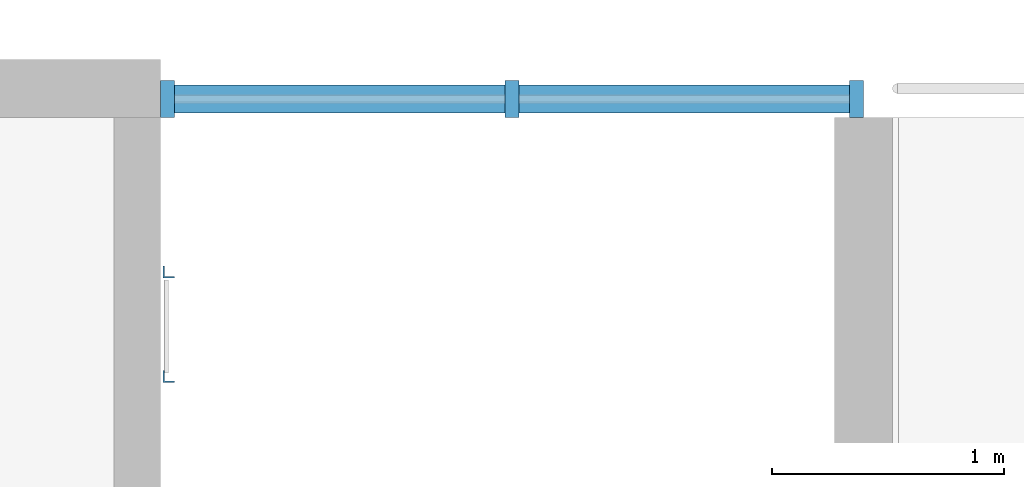
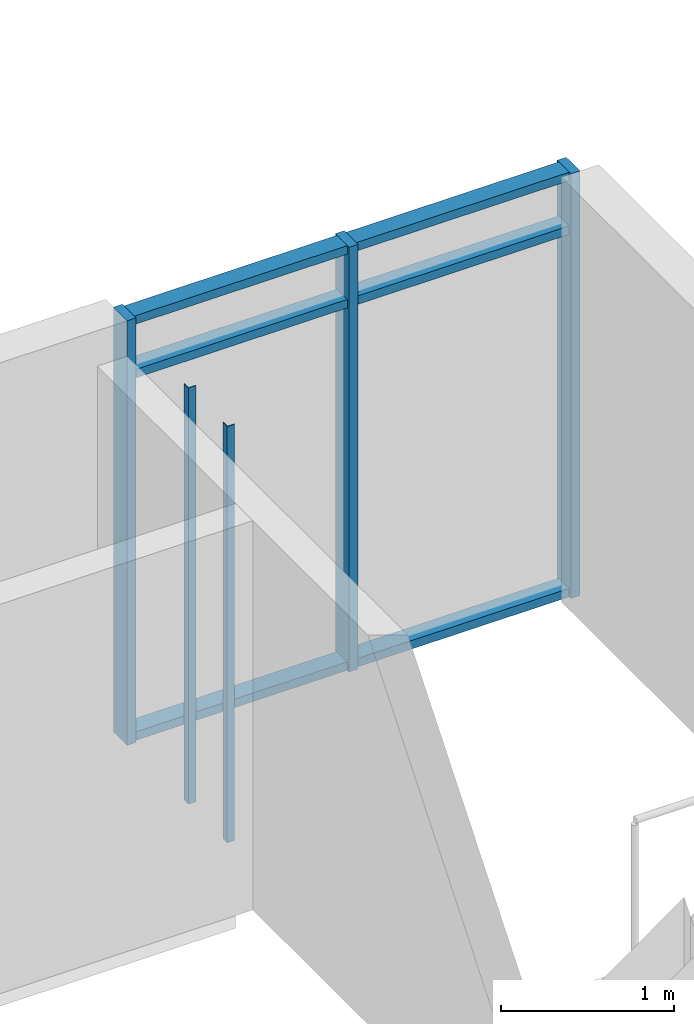
# One storey, part 15 of 94: 11 members, 1 element without a shape of its own.
"""IFC4 building model written with IfcOpenShell, lengths in metres."""

import ifcopenshell
import ifcopenshell.guid

model = None  # the IFC model being written
_history = None  # IfcOwnerHistory: only IFC2X3 demands one
_inside = {}  # id of a spatial element -> (the spatial element, [elements in it])
_under = {}  # id of a project, library or spatial element -> (it, [spatial elements below it])
_declared = {}  # id of a project -> (the project, [libraries it declares])
_typed = {}  # id of a type object -> (the type object, [elements of that type])
_made_of = {}  # id of a material, layer set ... -> (it, [elements and type objects made of it])


def new_model(schema):
    """Start an empty IFC model of exactly this schema.

    Asked for "IFC4X3", IfcOpenShell would pick the latest addendum, in which some entities
    have other attributes; the version numbers below select the first issue.
    IFC2X3 requires an IfcOwnerHistory on every rooted entity: one is made here for all.
    """
    global model, _history
    if schema == "IFC4X3":
        model = ifcopenshell.file(schema_version=(4, 3, 0, 0))
    else:
        model = ifcopenshell.file(schema=schema)
    _inside.clear()
    _under.clear()
    _declared.clear()
    _typed.clear()
    _made_of.clear()
    _history = None
    if model.schema == "IFC2X3":
        org = make("IfcOrganization", Name="unknown")
        user = make(
            "IfcPersonAndOrganization",
            ThePerson=make("IfcPerson", FamilyName="unknown"),
            TheOrganization=org,
        )
        app = make(
            "IfcApplication",
            ApplicationDeveloper=org,
            Version="unknown",
            ApplicationFullName="unknown",
            ApplicationIdentifier="unknown",
        )
        _history = make(
            "IfcOwnerHistory",
            OwningUser=user,
            OwningApplication=app,
            ChangeAction="ADDED",
            CreationDate=0,
        )
    return model


def make(cls, **values):
    """One entity of the class cls with the attributes given. An attribute that is None is left unset."""
    return model.create_entity(
        cls, **{name: value for name, value in values.items() if value is not None}
    )


def rooted(cls, **values):
    """An entity with a GlobalId (a new one), such as an element, a storey or a relation."""
    return make(cls, GlobalId=ifcopenshell.guid.new(), OwnerHistory=_history, **values)


def si_unit(unit_type, name, prefix=None):
    """IfcSIUnit, for example si_unit("LENGTHUNIT", "METRE", prefix="MILLI")."""
    return make("IfcSIUnit", UnitType=unit_type, Prefix=prefix, Name=name)


def assignment(units):
    """IfcUnitAssignment: the units of a project."""
    return None if units is None else make("IfcUnitAssignment", Units=units)


def point(xyz):
    """IfcCartesianPoint."""
    return None if xyz is None else make("IfcCartesianPoint", Coordinates=xyz)


def direction(xyz):
    """IfcDirection."""
    return None if xyz is None else make("IfcDirection", DirectionRatios=xyz)


def frame(location, z_axis=None, x_axis=None):
    """IfcAxis2Placement3D, a coordinate frame: its origin and axes. An axis left out is left unset."""
    return make(
        "IfcAxis2Placement3D",
        Location=point(location),
        Axis=direction(z_axis),
        RefDirection=direction(x_axis),
    )


def frame_2d(location, x_axis=None):
    """IfcAxis2Placement2D, a coordinate frame in the plane: its origin and x axis."""
    return make(
        "IfcAxis2Placement2D", Location=point(location), RefDirection=direction(x_axis)
    )


def origin():
    """The frame at (0, 0, 0) with its axes left unset."""
    return frame((0.0, 0.0, 0.0))


def origin_2d():
    """The frame at (0, 0) in the plane with its x axis left unset."""
    return frame_2d((0.0, 0.0))


def place(relative_to, where):
    """IfcLocalPlacement: puts the frame where relative to a parent placement (None: the world)."""
    return make(
        "IfcLocalPlacement", PlacementRelTo=relative_to, RelativePlacement=where
    )


def context(
    kind, dimensions, precision=None, world=None, true_north=None, identifier=None
):
    """IfcGeometricRepresentationContext, for example the 3D "Model" context."""
    return make(
        "IfcGeometricRepresentationContext",
        ContextIdentifier=identifier,
        ContextType=kind,
        CoordinateSpaceDimension=dimensions,
        Precision=precision,
        WorldCoordinateSystem=world,
        TrueNorth=true_north,
    )


def subcontext(parent, identifier, kind, view, scale=None):
    """IfcGeometricRepresentationSubContext, for example "Body" below "Model"."""
    return make(
        "IfcGeometricRepresentationSubContext",
        ContextIdentifier=identifier,
        ContextType=kind,
        ParentContext=parent,
        TargetScale=scale,
        TargetView=view,
    )


def project(units=None, contexts=None):
    """IfcProject with its units and contexts."""
    return rooted(
        "IfcProject",
        Name="project",
        RepresentationContexts=contexts,
        UnitsInContext=assignment(units),
    )


def spatial(cls, under=None, at=None, **own):
    """A site, building, storey or space (cls), placed at a placement, below another one or the project."""
    s = rooted(cls, ObjectPlacement=at, **own)
    if under is not None:
        _under.setdefault(under.id(), (under, []))[1].append(s)
    return s


def polyline(points):
    """IfcPolyline through the points."""
    return make("IfcPolyline", Points=[point(p) for p in points])


def profile(cls, at=None, kind="AREA", **sizes):
    """A parametric profile (cls). Its sizes go by their IFC names, for example OverallWidth=200.0."""
    return make(cls, ProfileType=kind, Position=at, **sizes)


def rectangle(**sizes):
    """IfcRectangleProfileDef."""
    return profile("IfcRectangleProfileDef", **sizes)


def outline(outer, holes=None, kind="AREA"):
    """IfcArbitraryClosedProfileDef: a profile drawn as a closed curve; with holes, ...WithVoids."""
    if holes is None:
        return make("IfcArbitraryClosedProfileDef", ProfileType=kind, OuterCurve=outer)
    return make(
        "IfcArbitraryProfileDefWithVoids",
        ProfileType=kind,
        OuterCurve=outer,
        InnerCurves=holes,
    )


def extrude(swept, where, along, depth):
    """IfcExtrudedAreaSolid: the profile swept, set in the frame where, extruded along a direction by depth."""
    return make(
        "IfcExtrudedAreaSolid",
        SweptArea=swept,
        Position=where,
        ExtrudedDirection=direction(along),
        Depth=depth,
    )


def shape(context_of_items, identifier, shape_type, items):
    """IfcShapeRepresentation: the items that make up one representation, for example the "Body"."""
    return make(
        "IfcShapeRepresentation",
        ContextOfItems=context_of_items,
        RepresentationIdentifier=identifier,
        RepresentationType=shape_type,
        Items=items,
    )


def material(Name=None, Category=None):
    """IfcMaterial."""
    return make("IfcMaterial", Name=Name, Category=Category)


def material_profile(
    of_material, cross_section, Name=None, Category=None, Priority=None
):
    """IfcMaterialProfile: a cross section and its material."""
    return make(
        "IfcMaterialProfile",
        Name=Name,
        Material=of_material,
        Profile=cross_section,
        Priority=Priority,
        Category=Category,
    )


def profile_set(profiles, Name=None, composite=None):
    """IfcMaterialProfileSet."""
    return make(
        "IfcMaterialProfileSet",
        Name=Name,
        MaterialProfiles=profiles,
        CompositeProfile=composite,
    )


def made_of(thing, what):
    """Note that an element or type object is made of a material, layer set ...; save() writes the relation."""
    if what is not None:
        _made_of.setdefault(what.id(), (what, []))[1].append(thing)
    return thing


def type_object(cls, material=None, **own):
    """A type object (cls), such as IfcWallType, which elements share."""
    return made_of(rooted(cls, **own), material)


def element(
    cls,
    number,
    at=None,
    inside=None,
    cuts=None,
    type_object=None,
    material=None,
    context=None,
    identifier="Body",
    shape_type=None,
    held_by="IfcProductDefinitionShape",
    body=None,
    shapes=None,
    **own,
):
    """One element of the class cls, such as IfcWall. Its Tag is "e" and its number.

    at: its placement. inside: the storey or other place that contains it. cuts: it is an
    opening in that element (IfcRelVoidsElement). A single representation is given by context,
    identifier, shape_type and body (its items); several are given by shapes. held_by: the class
    of the entity that holds the representations. save() writes the other relations.
    """
    e = rooted(cls, Tag="e%d" % number, ObjectPlacement=at, **own)
    if body is not None:
        shapes = [shape(context, identifier, shape_type, body)]
    if shapes is not None:
        e.Representation = make(held_by, Representations=shapes)
    if inside is not None:
        _inside.setdefault(inside.id(), (inside, []))[1].append(e)
    if cuts is not None:
        rooted(
            "IfcRelVoidsElement", RelatingBuildingElement=cuts, RelatedOpeningElement=e
        )
    if type_object is not None:
        _typed.setdefault(type_object.id(), (type_object, []))[1].append(e)
    return made_of(e, material)


def aggregate(whole, parts):
    """IfcRelAggregates: a whole, such as a stair, and the parts it consists of."""
    return rooted("IfcRelAggregates", RelatingObject=whole, RelatedObjects=parts)


def save(model, path):
    """Write the relations noted so far, then the file.

    IfcRelAggregates (storeys below a building ...), IfcRelContainedInSpatialStructure (elements
    in a storey), IfcRelDefinesByType, IfcRelAssociatesMaterial and IfcRelDeclares: one each for
    every whole, place, type object, material and project.
    """
    for whole, parts in _under.values():
        aggregate(whole, parts)
    for where, things in _inside.values():
        rooted(
            "IfcRelContainedInSpatialStructure",
            RelatedElements=things,
            RelatingStructure=where,
        )
    for kind, things in _typed.values():
        rooted("IfcRelDefinesByType", RelatedObjects=things, RelatingType=kind)
    for what, things in _made_of.values():
        rooted("IfcRelAssociatesMaterial", RelatedObjects=things, RelatingMaterial=what)
    for by, libraries in _declared.values():
        rooted("IfcRelDeclares", RelatingContext=by, RelatedDefinitions=libraries)
    model.write(path)


model = new_model("IFC4")

# Units and contexts
model_context = context("Model", 3, precision=1e-05, world=origin(), true_north=direction((0.0, 1.0)))
body_context = subcontext(model_context, "Body", "Model", "MODEL_VIEW")
ifc_project = project(units=[si_unit("LENGTHUNIT", "METRE"), si_unit("AREAUNIT", "SQUARE_METRE"), si_unit("VOLUMEUNIT", "CUBIC_METRE"), si_unit("PLANEANGLEUNIT", "RADIAN"), si_unit("MASSUNIT", "GRAM", prefix="KILO")], contexts=[model_context])

# Site, building, storey
site_placement = place(None, origin())
site = spatial("IfcSite", under=ifc_project, at=site_placement, CompositionType="ELEMENT")
building_placement = place(site_placement, origin())
building = spatial("IfcBuilding", under=site, at=building_placement, Name="Ridgestep Commons", CompositionType="ELEMENT")
storey_placement = place(building_placement, frame((0.0, 0.0, 24.0)))
storey = spatial("IfcBuildingStorey", under=building, at=storey_placement, Name="L08", CompositionType="ELEMENT", Elevation=24.0)

# Members
ifc_material_1 = material(Name="Structural steel S355JR", Category="steel")
ifc_material_profile_1 = material_profile(ifc_material_1, outline(polyline([(-0.014404296875, -0.014404296875), (0.03564453125, -0.014404296875), (0.03564453125, -0.00927734375), (-0.00927734375, -0.00927734375), (-0.00927734375, 0.03564453125), (-0.014404296875, 0.03564453125), (-0.014404296875, -0.014404296875)])), Name="EA 50x50x5")
ifc_profile_set_1 = profile_set([ifc_material_profile_1], Name="Structural steel S355JR")
member_type_1 = type_object("IfcMemberType", Name="Core ladder stile EA 50x50x5", PredefinedType="STRINGER", material=ifc_profile_set_1)
for number, where, z_axis, x_axis, name in (
    (1, (99.0, 75.875, 0.0), (0.0, 0.0, 1.0), (1.0, 0.0, 0.0), "Ladder stile B6C.1"),
    (2, (99.0, 76.324951171875, 0.0), (0.0, 0.0, 1.0), (1.0, 0.0, 0.0), "Ladder stile B6C.2"),
):
    element("IfcMember", number, at=place(storey_placement, frame(where, z_axis=z_axis, x_axis=x_axis)), inside=storey, type_object=member_type_1, Name=name, PredefinedType="STRINGER", context=body_context, shape_type="SweptSolid", body=[
        extrude(outline(polyline([(-0.014404296875, -0.014404296875), (0.03564453125, -0.014404296875), (0.03564453125, -0.00927734375), (-0.00927734375, -0.00927734375), (-0.00927734375, 0.03564453125), (-0.014404296875, 0.03564453125), (-0.014404296875, -0.014404296875)])), origin(), (0.0, 0.0, 1.0), 2.93994140625),
    ])

# Curtain wall, members
ifc_material_2 = material(Name="Aluminium 6063-T6 and glass", Category="aluminium")
curtain_wall_type = type_object("IfcCurtainWallType", Name="Curtain wall stair strip", PredefinedType="NOTDEFINED", material=ifc_material_2)
curtain_wall_placement = place(storey_placement, origin())
curtain_wall = element("IfcCurtainWall", 3, at=curtain_wall_placement, inside=storey, type_object=curtain_wall_type, Name="Curtain wall B6C level 08", PredefinedType="NOTDEFINED")
ifc_material_3 = material(Name="Aluminium 6063-T6", Category="aluminium")
ifc_material_profile_2 = material_profile(ifc_material_3, rectangle(XDim=0.159912109375, YDim=0.06005859375, at=origin_2d()), Name="Mullion 60 x 160")
ifc_profile_set_2 = profile_set([ifc_material_profile_2], Name="Aluminium 6063-T6")
member_type_2 = type_object("IfcMemberType", Name="Mullion 60 x 160", PredefinedType="MULLION", material=ifc_profile_set_2)
member_1_placement = place(storey_placement, frame((99.0048828125, 77.080078125, 0.0), z_axis=(0.0, 0.0, 1.0), x_axis=(0.0, 1.0, 0.0)))
member_1 = element("IfcMember", 4, at=member_1_placement, type_object=member_type_2, Name="CW1 mullion 1", PredefinedType="MULLION", context=body_context, shape_type="SweptSolid", body=[
    extrude(rectangle(XDim=0.159912109375, YDim=0.06005859375, at=origin_2d()), origin(), (0.0, 0.0, 1.0), 3.0),
])
member_2_placement = place(storey_placement, frame((100.487548828125, 77.080078125, 0.0), z_axis=(0.0, 0.0, 1.0), x_axis=(0.0, 1.0, 0.0)))
member_2 = element("IfcMember", 5, at=member_2_placement, type_object=member_type_2, Name="CW1 mullion 2", PredefinedType="MULLION", context=body_context, shape_type="SweptSolid", body=[
    extrude(rectangle(XDim=0.159912109375, YDim=0.06005859375, at=origin_2d()), origin(), (0.0, 0.0, 1.0), 3.0),
])
member_3_placement = place(storey_placement, frame((101.969970703125, 77.080078125, 0.0), z_axis=(0.0, 0.0, 1.0), x_axis=(0.0, 1.0, 0.0)))
member_3 = element("IfcMember", 6, at=member_3_placement, type_object=member_type_2, Name="CW1 mullion 3", PredefinedType="MULLION", context=body_context, shape_type="SweptSolid", body=[
    extrude(rectangle(XDim=0.159912109375, YDim=0.06005859375, at=origin_2d()), origin(), (0.0, 0.0, 1.0), 3.0),
])
ifc_material_4 = material(Name="Aluminium 6063-T6", Category="aluminium")
ifc_material_profile_3 = material_profile(ifc_material_4, rectangle(XDim=0.1201171875, YDim=0.06005859375, at=origin_2d()), Name="Transom 60 x 120")
ifc_profile_set_3 = profile_set([ifc_material_profile_3], Name="Aluminium 6063-T6")
member_type_3 = type_object("IfcMemberType", Name="Transom 60 x 120", PredefinedType="USERDEFINED", material=ifc_profile_set_3)
member_4_placement = place(storey_placement, frame((99.034912109375, 77.080078125, 0.030029296875), z_axis=(1.0, 0.0, 0.0), x_axis=(0.0, 1.0, 0.0)))
member_4 = element("IfcMember", 7, at=member_4_placement, type_object=member_type_3, Name="CW1 transom 1.1", ObjectType="TRANSOM", PredefinedType="USERDEFINED", context=body_context, shape_type="SweptSolid", body=[
    extrude(rectangle(XDim=0.1201171875, YDim=0.06005859375, at=origin_2d()), origin(), (0.0, 0.0, 1.0), 1.422607421875),
])
member_5_placement = place(storey_placement, frame((99.034912109375, 77.080078125, 2.590087890625), z_axis=(1.0, 0.0, 0.0), x_axis=(0.0, 1.0, 0.0)))
member_5 = element("IfcMember", 8, at=member_5_placement, type_object=member_type_3, Name="CW1 transom 1.2", ObjectType="TRANSOM", PredefinedType="USERDEFINED", context=body_context, shape_type="SweptSolid", body=[
    extrude(rectangle(XDim=0.1201171875, YDim=0.06005859375, at=origin_2d()), origin(), (0.0, 0.0, 1.0), 1.422607421875),
])
member_6_placement = place(storey_placement, frame((99.034912109375, 77.080078125, 2.969970703125), z_axis=(1.0, 0.0, 0.0), x_axis=(0.0, 1.0, 0.0)))
member_6 = element("IfcMember", 9, at=member_6_placement, type_object=member_type_3, Name="CW1 transom 1.3", ObjectType="TRANSOM", PredefinedType="USERDEFINED", context=body_context, shape_type="SweptSolid", body=[
    extrude(rectangle(XDim=0.1201171875, YDim=0.06005859375, at=origin_2d()), origin(), (0.0, 0.0, 1.0), 1.422607421875),
])
member_7_placement = place(storey_placement, frame((100.517578125, 77.080078125, 0.030029296875), z_axis=(1.0, 0.0, 0.0), x_axis=(0.0, 1.0, 0.0)))
member_7 = element("IfcMember", 10, at=member_7_placement, type_object=member_type_3, Name="CW1 transom 2.1", ObjectType="TRANSOM", PredefinedType="USERDEFINED", context=body_context, shape_type="SweptSolid", body=[
    extrude(rectangle(XDim=0.1201171875, YDim=0.06005859375, at=origin_2d()), origin(), (0.0, 0.0, 1.0), 1.42236328125),
])
member_8_placement = place(storey_placement, frame((100.517578125, 77.080078125, 2.590087890625), z_axis=(1.0, 0.0, 0.0), x_axis=(0.0, 1.0, 0.0)))
member_8 = element("IfcMember", 11, at=member_8_placement, type_object=member_type_3, Name="CW1 transom 2.2", ObjectType="TRANSOM", PredefinedType="USERDEFINED", context=body_context, shape_type="SweptSolid", body=[
    extrude(rectangle(XDim=0.1201171875, YDim=0.06005859375, at=origin_2d()), origin(), (0.0, 0.0, 1.0), 1.42236328125),
])
member_9_placement = place(storey_placement, frame((100.517578125, 77.080078125, 2.969970703125), z_axis=(1.0, 0.0, 0.0), x_axis=(0.0, 1.0, 0.0)))
member_9 = element("IfcMember", 12, at=member_9_placement, type_object=member_type_3, Name="CW1 transom 2.3", ObjectType="TRANSOM", PredefinedType="USERDEFINED", context=body_context, shape_type="SweptSolid", body=[
    extrude(rectangle(XDim=0.1201171875, YDim=0.06005859375, at=origin_2d()), origin(), (0.0, 0.0, 1.0), 1.42236328125),
])
aggregate(curtain_wall, [member_1, member_2, member_3, member_4, member_5, member_6, member_7, member_8, member_9])

save(model, "model.ifc")
